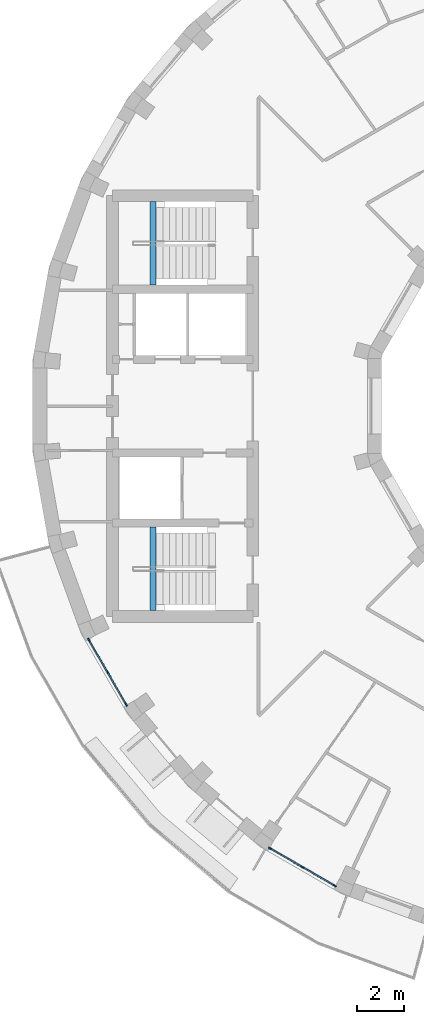
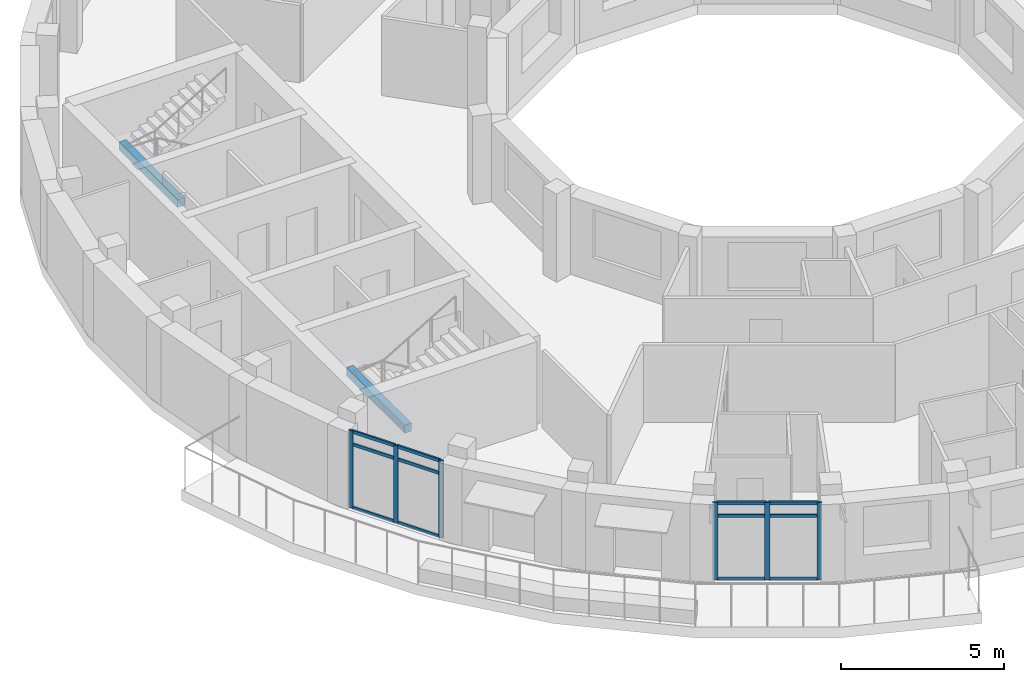
# One storey, part 2 of 12: 18 members, 2 beams, 2 elements without a shape of their own.
"""IFC4 building model written with IfcOpenShell, lengths in metres."""

from ifc_helpers import new_model, si_unit, direction, frame, origin, origin_2d, place, context, subcontext, project, spatial, rectangle, extrude, material, layer, layer_set, material_profile, profile_set, type_object, element, aggregate, save


model = new_model("IFC4")

# Units and contexts
model_context = context("Model", 3, precision=1e-05, world=origin(), true_north=direction((0.0, 1.0)))
body_context = subcontext(model_context, "Body", "Model", "MODEL_VIEW")
ifc_project = project(units=[si_unit("LENGTHUNIT", "METRE"), si_unit("AREAUNIT", "SQUARE_METRE"), si_unit("VOLUMEUNIT", "CUBIC_METRE"), si_unit("PLANEANGLEUNIT", "RADIAN"), si_unit("MASSUNIT", "GRAM", prefix="KILO")], contexts=[model_context])

# Site, building, storey
site_placement = place(None, origin())
site = spatial("IfcSite", under=ifc_project, at=site_placement, CompositionType="ELEMENT")
building_placement = place(site_placement, origin())
building = spatial("IfcBuilding", under=site, at=building_placement, Name="Saqina Gate Tower", CompositionType="ELEMENT")
storey_placement = place(building_placement, frame((0.0, 0.0, 266.0)))
storey = spatial("IfcBuildingStorey", under=building, at=storey_placement, Name="L76", CompositionType="ELEMENT", Elevation=266.0)

# Curtain wall, members
ifc_material_1 = material(Name="Aluminium glazing", Category="aluminium")
ifc_layer = layer(ifc_material_1, 0.159912109375)
ifc_layer_set = layer_set([ifc_layer], Name="CWT-4")
curtain_wall_type = type_object("IfcCurtainWallType", Name="CWT-4", PredefinedType="NOTDEFINED", material=ifc_layer_set)
curtain_wall_1_placement = place(storey_placement, origin())
curtain_wall_1 = element("IfcCurtainWall", 1, at=curtain_wall_1_placement, inside=storey, type_object=curtain_wall_type, Name="Terrace lounge glazing facet 21", PredefinedType="NOTDEFINED")
ifc_material_2 = material(Name="Aluminium", Category="aluminium")
ifc_material_profile_1 = material_profile(ifc_material_2, rectangle(XDim=0.06005859375, YDim=0.159912109375, at=origin_2d()), Name="Aluminium 60x160")
ifc_profile_set_1 = profile_set([ifc_material_profile_1], Name="Aluminium")
member_type_1 = type_object("IfcMemberType", Name="CWT-4M", PredefinedType="MULLION", material=ifc_profile_set_1)
member_1_placement = place(storey_placement, frame((-20.5107421875, -9.999267578125, 0.0), z_axis=(0.0, 0.0, 1.0), x_axis=(0.8660355365, 0.499982449212, 0.0)))
member_1 = element("IfcMember", 2, at=member_1_placement, type_object=member_type_1, Name="CW4-21 mullion 1", PredefinedType="MULLION", context=body_context, shape_type="SweptSolid", body=[
    extrude(rectangle(XDim=0.06005859375, YDim=0.159912109375, at=origin_2d()), origin(), (0.0, 0.0, 1.0), 2.89990234375),
])
member_2_placement = place(storey_placement, frame((-19.712890625, -11.38134765625, 0.0), z_axis=(0.0, 0.0, 1.0), x_axis=(0.8660355365, 0.499982449212, 0.0)))
member_2 = element("IfcMember", 3, at=member_2_placement, type_object=member_type_1, Name="CW4-21 mullion 2", PredefinedType="MULLION", context=body_context, shape_type="SweptSolid", body=[
    extrude(rectangle(XDim=0.06005859375, YDim=0.159912109375, at=origin_2d()), origin(), (0.0, 0.0, 1.0), 2.89990234375),
])
member_3_placement = place(storey_placement, frame((-18.9150390625, -12.763427734375, 0.0), z_axis=(0.0, 0.0, 1.0), x_axis=(0.8660355365, 0.499982449212, 0.0)))
member_3 = element("IfcMember", 4, at=member_3_placement, type_object=member_type_1, Name="CW4-21 mullion 3", PredefinedType="MULLION", context=body_context, shape_type="SweptSolid", body=[
    extrude(rectangle(XDim=0.06005859375, YDim=0.159912109375, at=origin_2d()), origin(), (0.0, 0.0, 1.0), 2.89990234375),
])

curtain_wall_2_placement = place(storey_placement, origin())
curtain_wall_2 = element("IfcCurtainWall", 5, at=curtain_wall_2_placement, inside=storey, type_object=curtain_wall_type, Name="Terrace lounge glazing facet 24", PredefinedType="NOTDEFINED")
member_4_placement = place(storey_placement, frame((-12.763427734375, -18.9150390625, 0.0), z_axis=(0.0, 0.0, 1.0), x_axis=(0.499982449212, 0.8660355365, 0.0)))
member_4 = element("IfcMember", 6, at=member_4_placement, type_object=member_type_1, Name="CW4-24 mullion 1", PredefinedType="MULLION", context=body_context, shape_type="SweptSolid", body=[
    extrude(rectangle(XDim=0.06005859375, YDim=0.159912109375, at=origin_2d()), origin(), (0.0, 0.0, 1.0), 2.89990234375),
])
member_5_placement = place(storey_placement, frame((-11.38134765625, -19.712890625, 0.0), z_axis=(0.0, 0.0, 1.0), x_axis=(0.499982449212, 0.8660355365, 0.0)))
member_5 = element("IfcMember", 7, at=member_5_placement, type_object=member_type_1, Name="CW4-24 mullion 2", PredefinedType="MULLION", context=body_context, shape_type="SweptSolid", body=[
    extrude(rectangle(XDim=0.06005859375, YDim=0.159912109375, at=origin_2d()), origin(), (0.0, 0.0, 1.0), 2.89990234375),
])
member_6_placement = place(storey_placement, frame((-9.999267578125, -20.5107421875, 0.0), z_axis=(0.0, 0.0, 1.0), x_axis=(0.499982449212, 0.8660355365, 0.0)))
member_6 = element("IfcMember", 8, at=member_6_placement, type_object=member_type_1, Name="CW4-24 mullion 3", PredefinedType="MULLION", context=body_context, shape_type="SweptSolid", body=[
    extrude(rectangle(XDim=0.06005859375, YDim=0.159912109375, at=origin_2d()), origin(), (0.0, 0.0, 1.0), 2.89990234375),
])

# Member
ifc_material_3 = material(Name="Aluminium", Category="aluminium")
ifc_material_profile_2 = material_profile(ifc_material_3, rectangle(XDim=0.06005859375, YDim=0.1201171875, at=origin_2d()), Name="Aluminium 60x120")
ifc_profile_set_2 = profile_set([ifc_material_profile_2], Name="Aluminium")
member_type_2 = type_object("IfcMemberType", Name="CWT-4T", PredefinedType="USERDEFINED", material=ifc_profile_set_2)
member_7_placement = place(storey_placement, frame((-20.495849609375, -10.025146484375, 0.030029296875), z_axis=(0.500071019227, -0.865984396932, 0.0), x_axis=(0.865984396932, 0.500071019227, 0.0)))
member_7 = element("IfcMember", 9, at=member_7_placement, type_object=member_type_2, Name="CW4-21 transom 1.1", ObjectType="TRANSOM", PredefinedType="USERDEFINED", context=body_context, shape_type="SweptSolid", body=[
    extrude(rectangle(XDim=0.06005859375, YDim=0.1201171875, at=origin_2d()), origin(), (0.0, 0.0, 1.0), 1.535888671875),
])

member_8_placement = place(storey_placement, frame((-20.495849609375, -10.025146484375, 2.39990234375), z_axis=(0.500071019227, -0.865984396932, 0.0), x_axis=(0.865984396932, 0.500071019227, 0.0)))
member_8 = element("IfcMember", 10, at=member_8_placement, type_object=member_type_2, Name="CW4-21 transom 1.2", ObjectType="TRANSOM", PredefinedType="USERDEFINED", context=body_context, shape_type="SweptSolid", body=[
    extrude(rectangle(XDim=0.06005859375, YDim=0.1201171875, at=origin_2d()), origin(), (0.0, 0.0, 1.0), 1.535888671875),
])

member_9_placement = place(storey_placement, frame((-20.495849609375, -10.025146484375, 2.8701171875), z_axis=(0.500071019227, -0.865984396932, 0.0), x_axis=(0.865984396932, 0.500071019227, 0.0)))
member_9 = element("IfcMember", 11, at=member_9_placement, type_object=member_type_2, Name="CW4-21 transom 1.3", ObjectType="TRANSOM", PredefinedType="USERDEFINED", context=body_context, shape_type="SweptSolid", body=[
    extrude(rectangle(XDim=0.06005859375, YDim=0.1201171875, at=origin_2d()), origin(), (0.0, 0.0, 1.0), 1.535888671875),
])

member_10_placement = place(storey_placement, frame((-19.697998046875, -11.4072265625, 0.030029296875), z_axis=(0.500071019227, -0.865984396932, 0.0), x_axis=(0.865984396932, 0.500071019227, 0.0)))
member_10 = element("IfcMember", 12, at=member_10_placement, type_object=member_type_2, Name="CW4-21 transom 2.1", ObjectType="TRANSOM", PredefinedType="USERDEFINED", context=body_context, shape_type="SweptSolid", body=[
    extrude(rectangle(XDim=0.06005859375, YDim=0.1201171875, at=origin_2d()), origin(), (0.0, 0.0, 1.0), 1.535888671875),
])

member_11_placement = place(storey_placement, frame((-19.697998046875, -11.4072265625, 2.39990234375), z_axis=(0.500071019227, -0.865984396932, 0.0), x_axis=(0.865984396932, 0.500071019227, 0.0)))
member_11 = element("IfcMember", 13, at=member_11_placement, type_object=member_type_2, Name="CW4-21 transom 2.2", ObjectType="TRANSOM", PredefinedType="USERDEFINED", context=body_context, shape_type="SweptSolid", body=[
    extrude(rectangle(XDim=0.06005859375, YDim=0.1201171875, at=origin_2d()), origin(), (0.0, 0.0, 1.0), 1.535888671875),
])

member_12_placement = place(storey_placement, frame((-19.697998046875, -11.4072265625, 2.8701171875), z_axis=(0.500071019227, -0.865984396932, 0.0), x_axis=(0.865984396932, 0.500071019227, 0.0)))
member_12 = element("IfcMember", 14, at=member_12_placement, type_object=member_type_2, Name="CW4-21 transom 2.3", ObjectType="TRANSOM", PredefinedType="USERDEFINED", context=body_context, shape_type="SweptSolid", body=[
    extrude(rectangle(XDim=0.06005859375, YDim=0.1201171875, at=origin_2d()), origin(), (0.0, 0.0, 1.0), 1.535888671875),
])

aggregate(curtain_wall_1, [member_1, member_2, member_3, member_7, member_8, member_9, member_10, member_11, member_12])

member_13_placement = place(storey_placement, frame((-12.7373046875, -18.929931640625, 0.030029296875), z_axis=(0.865984396932, -0.500071019227, 0.0), x_axis=(0.500071019227, 0.865984396932, 0.0)))
member_13 = element("IfcMember", 15, at=member_13_placement, type_object=member_type_2, Name="CW4-24 transom 1.1", ObjectType="TRANSOM", PredefinedType="USERDEFINED", context=body_context, shape_type="SweptSolid", body=[
    extrude(rectangle(XDim=0.06005859375, YDim=0.1201171875, at=origin_2d()), origin(), (0.0, 0.0, 1.0), 1.535888671875),
])

member_14_placement = place(storey_placement, frame((-12.7373046875, -18.929931640625, 2.39990234375), z_axis=(0.865984396932, -0.500071019227, 0.0), x_axis=(0.500071019227, 0.865984396932, 0.0)))
member_14 = element("IfcMember", 16, at=member_14_placement, type_object=member_type_2, Name="CW4-24 transom 1.2", ObjectType="TRANSOM", PredefinedType="USERDEFINED", context=body_context, shape_type="SweptSolid", body=[
    extrude(rectangle(XDim=0.06005859375, YDim=0.1201171875, at=origin_2d()), origin(), (0.0, 0.0, 1.0), 1.535888671875),
])

member_15_placement = place(storey_placement, frame((-12.7373046875, -18.929931640625, 2.8701171875), z_axis=(0.865984396932, -0.500071019227, 0.0), x_axis=(0.500071019227, 0.865984396932, 0.0)))
member_15 = element("IfcMember", 17, at=member_15_placement, type_object=member_type_2, Name="CW4-24 transom 1.3", ObjectType="TRANSOM", PredefinedType="USERDEFINED", context=body_context, shape_type="SweptSolid", body=[
    extrude(rectangle(XDim=0.06005859375, YDim=0.1201171875, at=origin_2d()), origin(), (0.0, 0.0, 1.0), 1.535888671875),
])

member_16_placement = place(storey_placement, frame((-11.355224609375, -19.727783203125, 0.030029296875), z_axis=(0.865984396932, -0.500071019227, 0.0), x_axis=(0.500071019227, 0.865984396932, 0.0)))
member_16 = element("IfcMember", 18, at=member_16_placement, type_object=member_type_2, Name="CW4-24 transom 2.1", ObjectType="TRANSOM", PredefinedType="USERDEFINED", context=body_context, shape_type="SweptSolid", body=[
    extrude(rectangle(XDim=0.06005859375, YDim=0.1201171875, at=origin_2d()), origin(), (0.0, 0.0, 1.0), 1.535888671875),
])

member_17_placement = place(storey_placement, frame((-11.355224609375, -19.727783203125, 2.39990234375), z_axis=(0.865984396932, -0.500071019227, 0.0), x_axis=(0.500071019227, 0.865984396932, 0.0)))
member_17 = element("IfcMember", 19, at=member_17_placement, type_object=member_type_2, Name="CW4-24 transom 2.2", ObjectType="TRANSOM", PredefinedType="USERDEFINED", context=body_context, shape_type="SweptSolid", body=[
    extrude(rectangle(XDim=0.06005859375, YDim=0.1201171875, at=origin_2d()), origin(), (0.0, 0.0, 1.0), 1.535888671875),
])

member_18_placement = place(storey_placement, frame((-11.355224609375, -19.727783203125, 2.8701171875), z_axis=(0.865984396932, -0.500071019227, 0.0), x_axis=(0.500071019227, 0.865984396932, 0.0)))
member_18 = element("IfcMember", 20, at=member_18_placement, type_object=member_type_2, Name="CW4-24 transom 2.3", ObjectType="TRANSOM", PredefinedType="USERDEFINED", context=body_context, shape_type="SweptSolid", body=[
    extrude(rectangle(XDim=0.06005859375, YDim=0.1201171875, at=origin_2d()), origin(), (0.0, 0.0, 1.0), 1.535888671875),
])

aggregate(curtain_wall_2, [member_4, member_5, member_6, member_13, member_14, member_15, member_16, member_17, member_18])

# Beams
ifc_material_4 = material(Name="Concrete C40/50", Category="concrete")
ifc_material_profile_3 = material_profile(ifc_material_4, rectangle(XDim=0.25, YDim=0.300048828125, at=origin_2d()), Name="STAIR LANDING BEAM")
ifc_profile_set_3 = profile_set([ifc_material_profile_3], Name="Concrete C40/50")
beam_type = type_object("IfcBeamType", Name="STAIR LANDING BEAM", PredefinedType="BEAM", material=ifc_profile_set_3)
for number, where, z_axis, x_axis, name in (
    (21, (-17.77001953125, 5.175048828125, 1.25), (0.0, 1.0, 0.0), (-1.0, 0.0, 0.0), "EXIT STAIR 3 LANDING BEAM"),
    (22, (-17.77001953125, -8.75, 1.25), (0.0, 1.0, 0.0), (-1.0, 0.0, 0.0), "EXIT STAIR 4 LANDING BEAM"),
):
    element("IfcBeam", number, at=place(storey_placement, frame(where, z_axis=z_axis, x_axis=x_axis)), inside=storey, type_object=beam_type, Name=name, PredefinedType="BEAM", context=body_context, shape_type="SweptSolid", body=[
        extrude(rectangle(XDim=0.25, YDim=0.300048828125, at=origin_2d()), origin(), (0.0, 0.0, 1.0), 3.574951171875),
    ])

save(model, "model.ifc")
